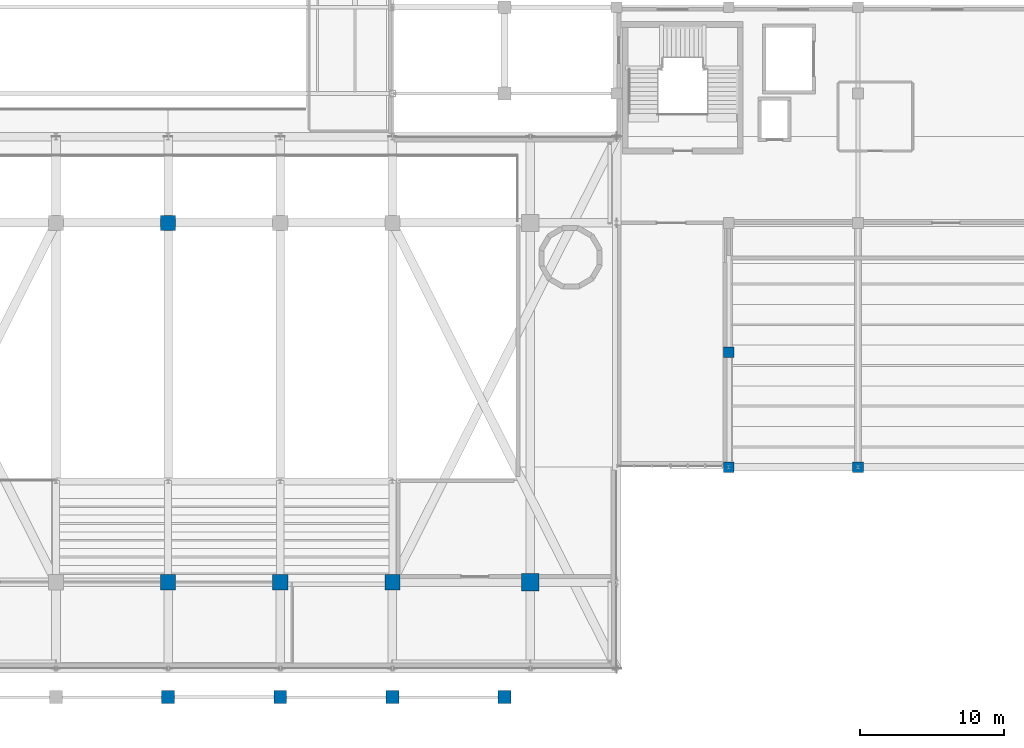
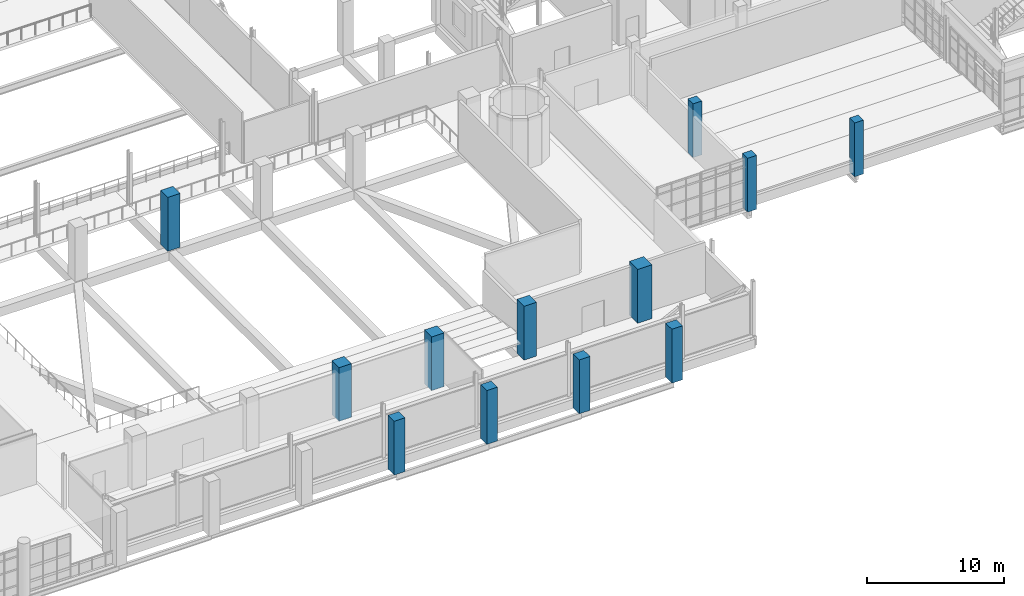
# One storey, part 7 of 100: 12 columns.
"""IFC4 building model written with IfcOpenShell, lengths in metres."""

from ifc_helpers import new_model, si_unit, derived_unit, direction, frame, origin, origin_2d, place, context, subcontext, project, spatial, rectangle, extrude, material, material_profile, profile_set, type_object, element, save


model = new_model("IFC4")

# Units and contexts
model_context = context("Model", 3, precision=1e-05, world=origin(), true_north=direction((0.0, 1.0)))
body_context = subcontext(model_context, "Body", "Model", "MODEL_VIEW")
ifc_project = project(units=[si_unit("LENGTHUNIT", "METRE"), si_unit("AREAUNIT", "SQUARE_METRE"), si_unit("VOLUMEUNIT", "CUBIC_METRE"), si_unit("PLANEANGLEUNIT", "RADIAN"), si_unit("MASSUNIT", "GRAM", prefix="KILO"), derived_unit("THERMALTRANSMITTANCEUNIT", [(si_unit("POWERUNIT", "WATT"), 1), (si_unit("LENGTHUNIT", "METRE"), -2), (si_unit("THERMODYNAMICTEMPERATUREUNIT", "KELVIN"), -1)])], contexts=[model_context])

# Site, building, storey
site_placement = place(None, origin())
site = spatial("IfcSite", under=ifc_project, at=site_placement, CompositionType="ELEMENT")
building_placement = place(site_placement, origin())
building = spatial("IfcBuilding", under=site, at=building_placement, Name="Nallur Shell Playhouse", CompositionType="ELEMENT")
storey_placement = place(building_placement, frame((0.0, 0.0, 10.199951171875)))
storey = spatial("IfcBuildingStorey", under=building, at=storey_placement, Name="L03", CompositionType="ELEMENT", Elevation=10.199951171875)

# Columns
ifc_material_1 = material(Name="Concrete M45", Category="concrete")
ifc_material_profile_1 = material_profile(ifc_material_1, rectangle(XDim=1.050048828125, YDim=1.050048828125, at=origin_2d()), Name="RC 1050x1050")
ifc_profile_set_1 = profile_set([ifc_material_profile_1], Name="Concrete M45")
column_type_1 = type_object("IfcColumnType", Name="CL-RC-1050", PredefinedType="COLUMN", material=ifc_profile_set_1)
for number, where, z_axis, x_axis, name in (
    (1, (87.39990234375, 16.0, 0.0), (0.0, 0.0, 1.0), (1.0, 0.0, 0.0), "Column MC3S (L03)"),
    (2, (87.39990234375, 41.0, 0.0), (0.0, 0.0, 1.0), (1.0, 0.0, 0.0), "Column MC3N (L03)"),
    (3, (95.199951171875, 16.0, 0.0), (0.0, 0.0, 1.0), (1.0, 0.0, 0.0), "Column MC4S (L03)"),
    (4, (103.0, 16.0, 0.0), (0.0, 0.0, 1.0), (1.0, 0.0, 0.0), "Column MC5S (L03)"),
):
    element("IfcColumn", number, at=place(storey_placement, frame(where, z_axis=z_axis, x_axis=x_axis)), inside=storey, type_object=column_type_1, Name=name, PredefinedType="COLUMN", context=body_context, shape_type="SweptSolid", body=[
        extrude(rectangle(XDim=1.050048828125, YDim=1.050048828125, at=origin_2d()), origin(), (0.0, 0.0, 1.0), 4.800048828125),
    ])
ifc_material_profile_2 = material_profile(ifc_material_1, rectangle(XDim=1.199951171875, YDim=1.199951171875, at=origin_2d()), Name="RC 1200x1200")
ifc_profile_set_2 = profile_set([ifc_material_profile_2], Name="Concrete M45")
column_type_2 = type_object("IfcColumnType", Name="CL-RC-1200", PredefinedType="COLUMN", material=ifc_profile_set_2)
column_placement = place(storey_placement, frame((112.60009765625, 16.0, 0.0), z_axis=(0.0, 0.0, 1.0), x_axis=(1.0, 0.0, 0.0)))
element("IfcColumn", 5, at=column_placement, inside=storey, type_object=column_type_2, Name="Column MC6S (L03)", PredefinedType="COLUMN", context=body_context, shape_type="SweptSolid", body=[
    extrude(rectangle(XDim=1.199951171875, YDim=1.199951171875, at=origin_2d()), origin(), (0.0, 0.0, 1.0), 4.800048828125),
])
ifc_material_2 = material(Name="Concrete M40", Category="concrete")
ifc_material_profile_3 = material_profile(ifc_material_2, rectangle(XDim=0.75, YDim=0.75, at=origin_2d()), Name="RC 750x750")
ifc_profile_set_3 = profile_set([ifc_material_profile_3], Name="Concrete M40")
column_type_3 = type_object("IfcColumnType", Name="CL-RC-750", PredefinedType="COLUMN", material=ifc_profile_set_3)
for number, where, z_axis, x_axis, name in (
    (6, (126.39990234375, 24.0, 0.0), (0.0, 0.0, 1.0), (1.0, 0.0, 0.0), "Column 16-C (L03)"),
    (7, (126.39990234375, 32.0, 0.0), (0.0, 0.0, 1.0), (1.0, 0.0, 0.0), "Column 16-D (L03)"),
    (8, (135.39990234375, 24.0, 0.0), (0.0, 0.0, 1.0), (1.0, 0.0, 0.0), "Column 17-C (L03)"),
):
    element("IfcColumn", number, at=place(storey_placement, frame(where, z_axis=z_axis, x_axis=x_axis)), inside=storey, type_object=column_type_3, Name=name, PredefinedType="COLUMN", context=body_context, shape_type="SweptSolid", body=[
        extrude(rectangle(XDim=0.75, YDim=0.75, at=origin_2d()), origin(), (0.0, 0.0, 1.0), 4.800048828125),
    ])
ifc_material_profile_4 = material_profile(ifc_material_2, rectangle(XDim=0.89990234375, YDim=0.89990234375, at=origin_2d()), Name="RC 900x900")
ifc_profile_set_4 = profile_set([ifc_material_profile_4], Name="Concrete M40")
column_type_4 = type_object("IfcColumnType", Name="CL-RC-900", PredefinedType="COLUMN", material=ifc_profile_set_4)
for number, where, z_axis, x_axis, name in (
    (9, (87.39990234375, 8.0, 0.0), (0.0, 0.0, 1.0), (1.0, 0.0, 0.0), "Column 11-A (L03)"),
    (10, (95.199951171875, 8.0, 0.0), (0.0, 0.0, 1.0), (1.0, 0.0, 0.0), "Column 12-A (L03)"),
    (11, (103.0, 8.0, 0.0), (0.0, 0.0, 1.0), (1.0, 0.0, 0.0), "Column 13-A (L03)"),
    (12, (110.800048828125, 8.0, 0.0), (0.0, 0.0, 1.0), (1.0, 0.0, 0.0), "Column 14-A (L03)"),
):
    element("IfcColumn", number, at=place(storey_placement, frame(where, z_axis=z_axis, x_axis=x_axis)), inside=storey, type_object=column_type_4, Name=name, PredefinedType="COLUMN", context=body_context, shape_type="SweptSolid", body=[
        extrude(rectangle(XDim=0.89990234375, YDim=0.89990234375, at=origin_2d()), origin(), (0.0, 0.0, 1.0), 4.800048828125),
    ])

save(model, "model.ifc")
